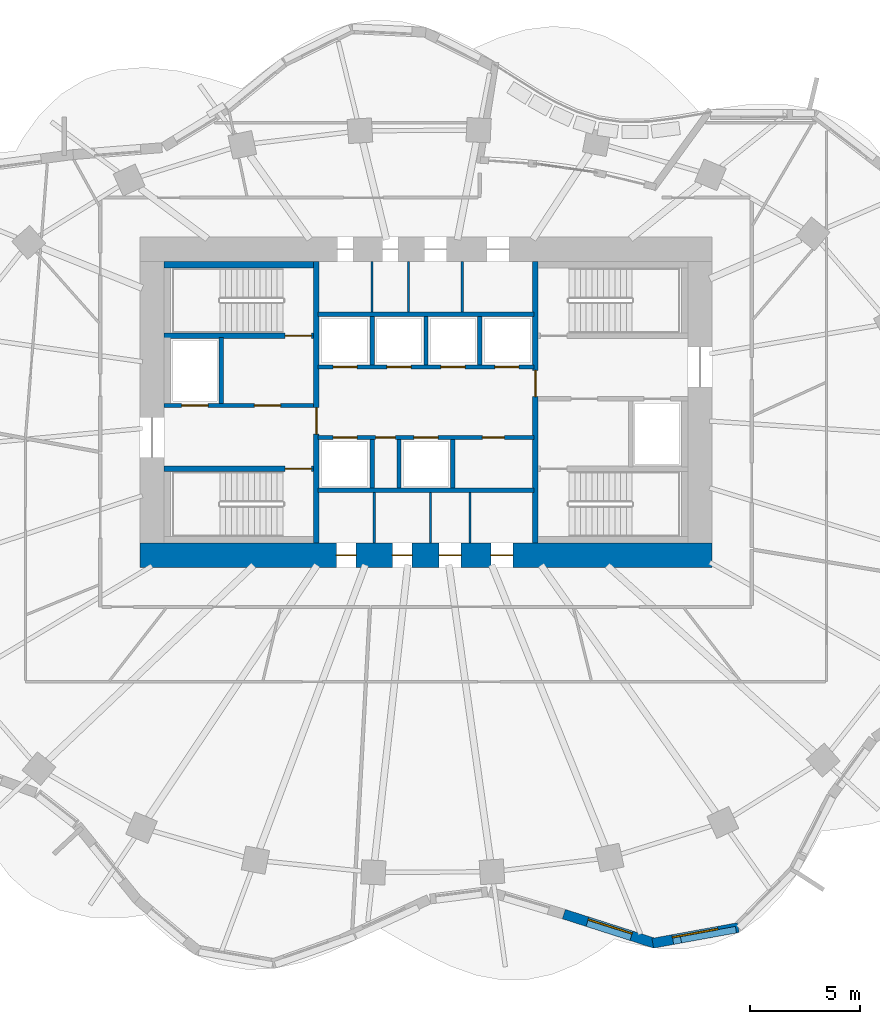
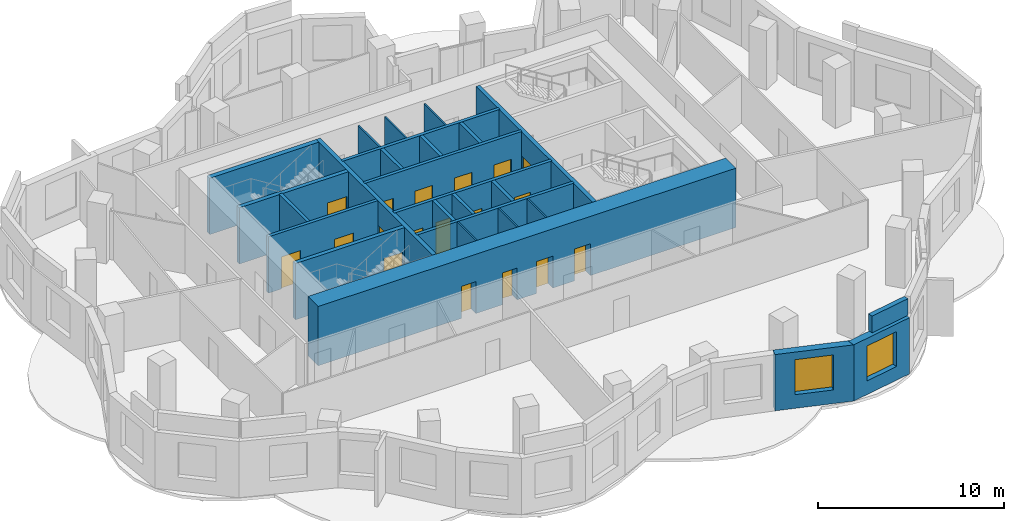
# One storey, part 6 of 11: 27 walls, 18 doors, 2 windows, 20 openings.
"""IFC4 building model written with IfcOpenShell, lengths in metres."""

from ifc_helpers import new_model, si_unit, direction, frame, frame_2d, origin, place, context, subcontext, project, spatial, rectangle, extrude, material, layer, layer_set, type_object, element, fill, save


model = new_model("IFC4")

# Units and contexts
model_context = context("Model", 3, precision=1e-05, world=origin(), true_north=direction((0.0, 1.0)))
body_context = subcontext(model_context, "Body", "Model", "MODEL_VIEW")
ifc_project = project(units=[si_unit("LENGTHUNIT", "METRE"), si_unit("AREAUNIT", "SQUARE_METRE"), si_unit("VOLUMEUNIT", "CUBIC_METRE"), si_unit("PLANEANGLEUNIT", "RADIAN"), si_unit("MASSUNIT", "GRAM", prefix="KILO")], contexts=[model_context])

# Site, building, storey
site_placement = place(None, origin())
site = spatial("IfcSite", under=ifc_project, at=site_placement, CompositionType="ELEMENT")
building_placement = place(site_placement, origin())
building = spatial("IfcBuilding", under=site, at=building_placement, Name="Rubra Terraces Tower", CompositionType="ELEMENT")
storey_placement = place(building_placement, frame((0.0, 0.0, 146.10009765625)))
storey = spatial("IfcBuildingStorey", under=building, at=storey_placement, Name="L35", CompositionType="ELEMENT", Elevation=146.10009765625)

# Wall, opening, window
ifc_material_1 = material(Name="Brick masonry red-brown", Category="masonry")
ifc_layer_1 = layer(ifc_material_1, 0.449951171875)
ifc_layer_set_1 = layer_set([ifc_layer_1], Name="Brick masonry red-brown")
wall_type_1 = type_object("IfcWallType", Name="Brick facade wall 450", PredefinedType="SOLIDWALL", material=ifc_layer_set_1)
wall_1_placement = place(storey_placement, frame((6.264404296875, -18.758544921875, 0.0), z_axis=(0.0, 0.0, 1.0), x_axis=(0.952259303219, -0.305290385423, 0.0)))
wall_1 = element("IfcWall", 1, at=wall_1_placement, inside=storey, type_object=wall_type_1, Name="Facade wall L35 bay 33", PredefinedType="SOLIDWALL", context=body_context, shape_type="SweptSolid", body=[
    extrude(rectangle(XDim=4.354248046875, YDim=0.449951171875, at=frame_2d((2.17724609375, 0.0))), origin(), (0.0, 0.0, 1.0), 3.699951171875),
])
opening_1_placement = place(wall_1_placement, frame((1.127197265625, 0.0, 0.89990234375)))
opening_1 = element("IfcOpeningElement", 2, at=opening_1_placement, cuts=wall_1, Name="Opening W1B", PredefinedType="OPENING", context=body_context, shape_type="SweptSolid", body=[
    extrude(rectangle(XDim=2.10009765625, YDim=2.300048828125, at=frame_2d((1.050048828125, 1.14990234375))), frame((0.0, 0.23486328125, 0.0), z_axis=(0.0, -1.0, 0.0), x_axis=(1.0, 0.0, 0.0)), (0.0, 0.0, 1.0), 0.469970703125),
])
ifc_material_2 = material(Name="Clear glass in aluminium frame", Category="aluminium")
window_type = type_object("IfcWindowType", Name="Fixed deep-set window tall storey 2100 x 2300", PartitioningType="SINGLE_PANEL", PredefinedType="WINDOW", material=ifc_material_2)
window_1_placement = place(opening_1_placement, origin())
window_1 = element("IfcWindow", 3, at=window_1_placement, inside=storey, type_object=window_type, Name="Window L35 bay 33", OverallHeight=2.300048828125, OverallWidth=2.10009765625, PartitioningType="SINGLE_PANEL", PredefinedType="WINDOW", context=body_context, shape_type="SweptSolid", body=[
    extrude(rectangle(XDim=2.10009765625, YDim=2.300048828125, at=frame_2d((1.050048828125, 1.14990234375))), frame((0.0, 0.135009765625, 0.0), z_axis=(0.0, -1.0, 0.0), x_axis=(1.0, 0.0, 0.0)), (0.0, 0.0, 1.0), 0.06005859375),
])
fill(opening_1, window_1)

wall_2_placement = place(storey_placement, frame((10.304443359375, -20.081787109375, 0.0), z_axis=(0.0, 0.0, 1.0), x_axis=(0.983644868335, 0.180118774698, 0.0)))
wall_2 = element("IfcWall", 4, at=wall_2_placement, inside=storey, type_object=wall_type_1, Name="Facade wall L35 bay 34", PredefinedType="SOLIDWALL", context=body_context, shape_type="SweptSolid", body=[
    extrude(rectangle(XDim=3.953857421875, YDim=0.449951171875, at=frame_2d((1.97705078125, 0.0))), origin(), (0.0, 0.0, 1.0), 3.699951171875),
])
opening_2_placement = place(wall_2_placement, frame((0.9267578125, 0.0, 0.89990234375)))
opening_2 = element("IfcOpeningElement", 5, at=opening_2_placement, cuts=wall_2, Name="Opening W1B", PredefinedType="OPENING", context=body_context, shape_type="SweptSolid", body=[
    extrude(rectangle(XDim=2.10009765625, YDim=2.300048828125, at=frame_2d((1.050048828125, 1.14990234375))), frame((0.0, 0.23486328125, 0.0), z_axis=(0.0, -1.0, 0.0), x_axis=(1.0, 0.0, 0.0)), (0.0, 0.0, 1.0), 0.469970703125),
])
window_2_placement = place(opening_2_placement, origin())
window_2 = element("IfcWindow", 6, at=window_2_placement, inside=storey, type_object=window_type, Name="Window L35 bay 34", OverallHeight=2.300048828125, OverallWidth=2.10009765625, PartitioningType="SINGLE_PANEL", PredefinedType="WINDOW", context=body_context, shape_type="SweptSolid", body=[
    extrude(rectangle(XDim=2.10009765625, YDim=2.300048828125, at=frame_2d((1.050048828125, 1.14990234375))), frame((0.0, 0.135009765625, 0.0), z_axis=(0.0, -1.0, 0.0), x_axis=(1.0, 0.0, 0.0)), (0.0, 0.0, 1.0), 0.06005859375),
])
fill(opening_2, window_2)

# Wall
ifc_layer_2 = layer(ifc_material_1, 0.300048828125)
ifc_layer_set_2 = layer_set([ifc_layer_2], Name="Brick masonry red-brown")
wall_type_2 = type_object("IfcWallType", Name="Brick parapet 300", PredefinedType="PARAPET", material=ifc_layer_set_2)
wall_3_placement = place(storey_placement, frame((11.586669921875, -19.923095703125, 3.89990234375), z_axis=(0.0, 0.0, 1.0), x_axis=(0.983652285329, 0.180078265118, 0.0)))
element("IfcWall", 7, at=wall_3_placement, inside=storey, type_object=wall_type_2, Name="Parapet L35 bay 34", PredefinedType="PARAPET", context=body_context, shape_type="SweptSolid", body=[
    extrude(rectangle(XDim=2.539306640625, YDim=0.300048828125, at=frame_2d((1.26953125, 0.0))), origin(), (0.0, 0.0, 1.0), 1.10009765625),
])

# Wall, openings, doors
ifc_material_3 = material(Name="Concrete C60", Category="concrete")
ifc_layer_3 = layer(ifc_material_3, 1.10009765625)
ifc_layer_set_3 = layer_set([ifc_layer_3], Name="Concrete C60")
wall_type_3 = type_object("IfcWallType", Name="CORE WALL 1100 C60", PredefinedType="SHEAR", material=ifc_layer_set_3)
wall_4_placement = place(storey_placement, frame((-13.0, -2.449951171875, 0.0), z_axis=(0.0, 0.0, 1.0), x_axis=(1.0, 0.0, 0.0)))
wall_4 = element("IfcWall", 8, at=wall_4_placement, inside=storey, type_object=wall_type_3, Name="CORE WALL S L35", PredefinedType="SHEAR", context=body_context, shape_type="SweptSolid", body=[
    extrude(rectangle(XDim=26.0, YDim=1.10009765625, at=frame_2d((13.0, 0.0))), origin(), (0.0, 0.0, 1.0), 3.89990234375),
])
opening_3_placement = place(wall_4_placement, frame((8.925048828125, 0.0, 0.0)))
opening_3 = element("IfcOpeningElement", 9, at=opening_3_placement, cuts=wall_4, Name="Opening L35.C21", PredefinedType="OPENING", context=body_context, shape_type="SweptSolid", body=[
    extrude(rectangle(XDim=0.89990234375, YDim=2.10009765625, at=frame_2d((0.449951171875, 1.050048828125))), frame((0.0, 0.56005859375, 0.0), z_axis=(0.0, -1.0, 0.0), x_axis=(1.0, 0.0, 0.0)), (0.0, 0.0, 1.0), 1.1201171875),
])
opening_4_placement = place(wall_4_placement, frame((11.47509765625, 0.0, 0.0)))
opening_4 = element("IfcOpeningElement", 10, at=opening_4_placement, cuts=wall_4, Name="Opening L35.C22", PredefinedType="OPENING", context=body_context, shape_type="SweptSolid", body=[
    extrude(rectangle(XDim=0.89990234375, YDim=2.10009765625, at=frame_2d((0.449951171875, 1.050048828125))), frame((0.0, 0.56005859375, 0.0), z_axis=(0.0, -1.0, 0.0), x_axis=(1.0, 0.0, 0.0)), (0.0, 0.0, 1.0), 1.1201171875),
])
opening_5_placement = place(wall_4_placement, frame((13.60009765625, 0.0, 0.0)))
opening_5 = element("IfcOpeningElement", 11, at=opening_5_placement, cuts=wall_4, Name="Opening L35.C23", PredefinedType="OPENING", context=body_context, shape_type="SweptSolid", body=[
    extrude(rectangle(XDim=1.0, YDim=2.10009765625, at=frame_2d((0.5, 1.050048828125))), frame((0.0, 0.56005859375, 0.0), z_axis=(0.0, -1.0, 0.0), x_axis=(1.0, 0.0, 0.0)), (0.0, 0.0, 1.0), 1.1201171875),
])
opening_6_placement = place(wall_4_placement, frame((15.949951171875, 0.0, 0.0)))
opening_6 = element("IfcOpeningElement", 12, at=opening_6_placement, cuts=wall_4, Name="Opening L35.C24", PredefinedType="OPENING", context=body_context, shape_type="SweptSolid", body=[
    extrude(rectangle(XDim=1.0, YDim=2.10009765625, at=frame_2d((0.5, 1.050048828125))), frame((0.0, 0.56005859375, 0.0), z_axis=(0.0, -1.0, 0.0), x_axis=(1.0, 0.0, 0.0)), (0.0, 0.0, 1.0), 1.1201171875),
])
ifc_material_4 = material(Name="Painted steel", Category="steel")
door_type_1 = type_object("IfcDoorType", Name="Fire door 1000x2100 single", OperationType="NOTDEFINED", PredefinedType="DOOR", material=ifc_material_4)
door_1_placement = place(opening_5_placement, origin())
door_1 = element("IfcDoor", 13, at=door_1_placement, inside=storey, type_object=door_type_1, Name="Accessible WC door", OperationType="SINGLE_SWING_LEFT", OverallHeight=2.10009765625, OverallWidth=1.0, PredefinedType="DOOR", context=body_context, shape_type="SweptSolid", body=[
    extrude(rectangle(XDim=1.0, YDim=2.10009765625, at=frame_2d((0.5, 1.050048828125))), frame((0.0, 0.02490234375, 0.0), z_axis=(0.0, -1.0, 0.0), x_axis=(1.0, 0.0, 0.0)), (0.0, 0.0, 1.0), 0.050048828125),
])
fill(opening_5, door_1)
door_2_placement = place(opening_6_placement, origin())
door_2 = element("IfcDoor", 14, at=door_2_placement, inside=storey, type_object=door_type_1, Name="General store door", OperationType="SINGLE_SWING_RIGHT", OverallHeight=2.10009765625, OverallWidth=1.0, PredefinedType="DOOR", context=body_context, shape_type="SweptSolid", body=[
    extrude(rectangle(XDim=1.0, YDim=2.10009765625, at=frame_2d((0.5, 1.050048828125))), frame((0.0, 0.02490234375, 0.0), z_axis=(0.0, -1.0, 0.0), x_axis=(1.0, 0.0, 0.0)), (0.0, 0.0, 1.0), 0.050048828125),
])
fill(opening_6, door_2)
door_type_2 = type_object("IfcDoorType", Name="Fire door 900x2100 single", OperationType="NOTDEFINED", PredefinedType="DOOR", material=ifc_material_4)
door_3_placement = place(opening_3_placement, origin())
door_3 = element("IfcDoor", 15, at=door_3_placement, inside=storey, type_object=door_type_2, Name="Ladies WC door", OperationType="SINGLE_SWING_LEFT", OverallHeight=2.10009765625, OverallWidth=0.89990234375, PredefinedType="DOOR", context=body_context, shape_type="SweptSolid", body=[
    extrude(rectangle(XDim=0.89990234375, YDim=2.10009765625, at=frame_2d((0.449951171875, 1.050048828125))), frame((0.0, 0.02490234375, 0.0), z_axis=(0.0, -1.0, 0.0), x_axis=(1.0, 0.0, 0.0)), (0.0, 0.0, 1.0), 0.050048828125),
])
fill(opening_3, door_3)
door_4_placement = place(opening_4_placement, origin())
door_4 = element("IfcDoor", 16, at=door_4_placement, inside=storey, type_object=door_type_2, Name="Gents WC door", OperationType="SINGLE_SWING_RIGHT", OverallHeight=2.10009765625, OverallWidth=0.89990234375, PredefinedType="DOOR", context=body_context, shape_type="SweptSolid", body=[
    extrude(rectangle(XDim=0.89990234375, YDim=2.10009765625, at=frame_2d((0.449951171875, 1.050048828125))), frame((0.0, 0.02490234375, 0.0), z_axis=(0.0, -1.0, 0.0), x_axis=(1.0, 0.0, 0.0)), (0.0, 0.0, 1.0), 0.050048828125),
])
fill(opening_4, door_4)

# Wall
ifc_material_5 = material(Name="Concrete C40", Category="concrete")
ifc_layer_4 = layer(ifc_material_5, 0.300048828125)
ifc_layer_set_4 = layer_set([ifc_layer_4], Name="Concrete C40")
wall_type_4 = type_object("IfcWallType", Name="Core lining wall 300 concrete", PredefinedType="SOLIDWALL", material=ifc_layer_set_4)
wall_5_placement = place(storey_placement, frame((-11.89990234375, 10.75, 0.0), z_axis=(0.0, 0.0, 1.0), x_axis=(1.0, 0.0, 0.0)))
element("IfcWall", 17, at=wall_5_placement, inside=storey, type_object=wall_type_4, Name="CORE LINING WALL L35", PredefinedType="SOLIDWALL", context=body_context, shape_type="SweptSolid", body=[
    extrude(rectangle(XDim=6.7998046875, YDim=0.300048828125, at=frame_2d((3.39990234375, 0.0))), origin(), (0.0, 0.0, 1.0), 3.699951171875),
])

# Wall, openings, doors
ifc_material_6 = material(Name="Concrete C30", Category="concrete")
ifc_layer_5 = layer(ifc_material_6, 0.199951171875)
ifc_layer_set_5 = layer_set([ifc_layer_5], Name="Concrete C30")
wall_type_5 = type_object("IfcWallType", Name="Core wall 200 concrete", PredefinedType="SOLIDWALL", material=ifc_layer_set_5)
wall_6_placement = place(storey_placement, frame((-11.89990234375, 4.35009765625, 0.0), z_axis=(0.0, 0.0, 1.0), x_axis=(1.0, 0.0, 0.0)))
wall_6 = element("IfcWall", 18, at=wall_6_placement, inside=storey, type_object=wall_type_5, Name="STAIR WALL L35", PredefinedType="SOLIDWALL", context=body_context, shape_type="SweptSolid", body=[
    extrude(rectangle(XDim=6.7998046875, YDim=0.199951171875, at=frame_2d((3.39990234375, 0.0))), origin(), (0.0, 0.0, 1.0), 3.699951171875),
])
opening_7_placement = place(wall_6_placement, frame((4.10009765625, 0.0, 0.0)))
opening_7 = element("IfcOpeningElement", 19, at=opening_7_placement, cuts=wall_6, Name="Opening L35.C05", PredefinedType="OPENING", context=body_context, shape_type="SweptSolid", body=[
    extrude(rectangle(XDim=1.199951171875, YDim=2.10009765625, at=frame_2d((0.60009765625, 1.050048828125))), frame((0.0, 0.10986328125, 0.0), z_axis=(0.0, -1.0, 0.0), x_axis=(1.0, 0.0, 0.0)), (0.0, 0.0, 1.0), 0.219970703125),
])
opening_8_placement = place(wall_6_placement, frame((0.800048828125, 0.0, 0.0)))
opening_8 = element("IfcOpeningElement", 20, at=opening_8_placement, cuts=wall_6, Name="Opening L35.C11", PredefinedType="OPENING", context=body_context, shape_type="SweptSolid", body=[
    extrude(rectangle(XDim=1.199951171875, YDim=2.10009765625, at=frame_2d((0.60009765625, 1.050048828125))), frame((0.0, 0.10986328125, 0.0), z_axis=(0.0, -1.0, 0.0), x_axis=(1.0, 0.0, 0.0)), (0.0, 0.0, 1.0), 0.219970703125),
])
door_type_3 = type_object("IfcDoorType", Name="Fire door 1200x2100 single", OperationType="NOTDEFINED", PredefinedType="DOOR", material=ifc_material_4)
door_5_placement = place(opening_7_placement, origin())
door_5 = element("IfcDoor", 21, at=door_5_placement, inside=storey, type_object=door_type_3, Name="Stair vestibule door S2", OperationType="SINGLE_SWING_LEFT", OverallHeight=2.10009765625, OverallWidth=1.199951171875, PredefinedType="DOOR", context=body_context, shape_type="SweptSolid", body=[
    extrude(rectangle(XDim=1.199951171875, YDim=2.10009765625, at=frame_2d((0.60009765625, 1.050048828125))), frame((0.0, 0.02490234375, 0.0), z_axis=(0.0, -1.0, 0.0), x_axis=(1.0, 0.0, 0.0)), (0.0, 0.0, 1.0), 0.050048828125),
])
fill(opening_7, door_5)
ifc_material_7 = material(Name="Stainless steel", Category="steel")
door_type_4 = type_object("IfcDoorType", Name="Lift landing door 1200x2100", OperationType="NOTDEFINED", PredefinedType="DOOR", material=ifc_material_7)
door_6_placement = place(opening_8_placement, origin())
door_6 = element("IfcDoor", 22, at=door_6_placement, inside=storey, type_object=door_type_4, Name="Landing door FF1", OperationType="SLIDING_TO_RIGHT", OverallHeight=2.10009765625, OverallWidth=1.199951171875, PredefinedType="DOOR", context=body_context, shape_type="SweptSolid", body=[
    extrude(rectangle(XDim=1.199951171875, YDim=2.10009765625, at=frame_2d((0.60009765625, 1.050048828125))), frame((0.0, 0.02490234375, 0.0), z_axis=(0.0, -1.0, 0.0), x_axis=(1.0, 0.0, 0.0)), (0.0, 0.0, 1.0), 0.050048828125),
])
fill(opening_8, door_6)

# Walls
wall_7_placement = place(storey_placement, frame((-9.300048828125, 4.449951171875, 0.0), z_axis=(0.0, 0.0, 1.0), x_axis=(0.0, 1.0, 0.0)))
element("IfcWall", 23, at=wall_7_placement, inside=storey, type_object=wall_type_5, Name="STAIR WALL L35", PredefinedType="SOLIDWALL", context=body_context, shape_type="SweptSolid", body=[
    extrude(rectangle(XDim=3.0, YDim=0.199951171875, at=frame_2d((1.5, 0.0))), origin(), (0.0, 0.0, 1.0), 3.699951171875),
])
wall_8_placement = place(storey_placement, frame((-4.89990234375, 0.5, 0.0), z_axis=(0.0, 0.0, 1.0), x_axis=(1.0, 0.0, 0.0)))
element("IfcWall", 24, at=wall_8_placement, inside=storey, type_object=wall_type_5, Name="LIFT SHAFT WALL L35", PredefinedType="SOLIDWALL", context=body_context, shape_type="SweptSolid", body=[
    extrude(rectangle(XDim=9.7998046875, YDim=0.199951171875, at=frame_2d((4.89990234375, 0.0))), origin(), (0.0, 0.0, 1.0), 3.699951171875),
])

# Wall, openings, doors
wall_9_placement = place(storey_placement, frame((-4.89990234375, 2.89990234375, 0.0), z_axis=(0.0, 0.0, 1.0), x_axis=(1.0, 0.0, 0.0)))
wall_9 = element("IfcWall", 25, at=wall_9_placement, inside=storey, type_object=wall_type_5, Name="LIFT SHAFT WALL L35", PredefinedType="SOLIDWALL", context=body_context, shape_type="SweptSolid", body=[
    extrude(rectangle(XDim=9.7998046875, YDim=0.199951171875, at=frame_2d((4.89990234375, 0.0))), origin(), (0.0, 0.0, 1.0), 3.699951171875),
])
opening_9_placement = place(wall_9_placement, frame((0.675048828125, 0.0, 0.0)))
opening_9 = element("IfcOpeningElement", 26, at=opening_9_placement, cuts=wall_9, Name="Opening L35.C13", PredefinedType="OPENING", context=body_context, shape_type="SweptSolid", body=[
    extrude(rectangle(XDim=1.10009765625, YDim=2.10009765625, at=frame_2d((0.550048828125, 1.050048828125))), frame((0.0, 0.10986328125, 0.0), z_axis=(0.0, -1.0, 0.0), x_axis=(1.0, 0.0, 0.0)), (0.0, 0.0, 1.0), 0.219970703125),
])
opening_10_placement = place(wall_9_placement, frame((2.613037109375, 0.0, 0.0)))
opening_10 = element("IfcOpeningElement", 27, at=opening_10_placement, cuts=wall_9, Name="Opening L35.C14", PredefinedType="OPENING", context=body_context, shape_type="SweptSolid", body=[
    extrude(rectangle(XDim=0.89990234375, YDim=2.10009765625, at=frame_2d((0.449951171875, 1.050048828125))), frame((0.0, 0.10986328125, 0.0), z_axis=(0.0, -1.0, 0.0), x_axis=(1.0, 0.0, 0.0)), (0.0, 0.0, 1.0), 0.219970703125),
])
opening_11_placement = place(wall_9_placement, frame((4.35009765625, 0.0, 0.0)))
opening_11 = element("IfcOpeningElement", 28, at=opening_11_placement, cuts=wall_9, Name="Opening L35.C15", PredefinedType="OPENING", context=body_context, shape_type="SweptSolid", body=[
    extrude(rectangle(XDim=1.10009765625, YDim=2.10009765625, at=frame_2d((0.550048828125, 1.050048828125))), frame((0.0, 0.10986328125, 0.0), z_axis=(0.0, -1.0, 0.0), x_axis=(1.0, 0.0, 0.0)), (0.0, 0.0, 1.0), 0.219970703125),
])
opening_12_placement = place(wall_9_placement, frame((7.462890625, 0.0, 0.0)))
opening_12 = element("IfcOpeningElement", 29, at=opening_12_placement, cuts=wall_9, Name="Opening L35.C16", PredefinedType="OPENING", context=body_context, shape_type="SweptSolid", body=[
    extrude(rectangle(XDim=1.0, YDim=2.10009765625, at=frame_2d((0.5, 1.050048828125))), frame((0.0, 0.10986328125, 0.0), z_axis=(0.0, -1.0, 0.0), x_axis=(1.0, 0.0, 0.0)), (0.0, 0.0, 1.0), 0.219970703125),
])
door_7_placement = place(opening_12_placement, origin())
door_7 = element("IfcDoor", 30, at=door_7_placement, inside=storey, type_object=door_type_1, Name="Security and building control room door", OperationType="SINGLE_SWING_RIGHT", OverallHeight=2.10009765625, OverallWidth=1.0, PredefinedType="DOOR", context=body_context, shape_type="SweptSolid", body=[
    extrude(rectangle(XDim=1.0, YDim=2.10009765625, at=frame_2d((0.5, 1.050048828125))), frame((0.0, 0.02490234375, 0.0), z_axis=(0.0, -1.0, 0.0), x_axis=(1.0, 0.0, 0.0)), (0.0, 0.0, 1.0), 0.050048828125),
])
fill(opening_12, door_7)
door_8_placement = place(opening_10_placement, origin())
door_8 = element("IfcDoor", 31, at=door_8_placement, inside=storey, type_object=door_type_2, Name="Cleaner's store door", OperationType="SINGLE_SWING_RIGHT", OverallHeight=2.10009765625, OverallWidth=0.89990234375, PredefinedType="DOOR", context=body_context, shape_type="SweptSolid", body=[
    extrude(rectangle(XDim=0.89990234375, YDim=2.10009765625, at=frame_2d((0.449951171875, 1.050048828125))), frame((0.0, 0.02490234375, 0.0), z_axis=(0.0, -1.0, 0.0), x_axis=(1.0, 0.0, 0.0)), (0.0, 0.0, 1.0), 0.050048828125),
])
fill(opening_10, door_8)
door_type_5 = type_object("IfcDoorType", Name="Lift landing door 1100x2100", OperationType="NOTDEFINED", PredefinedType="DOOR", material=ifc_material_7)
door_9_placement = place(opening_9_placement, origin())
door_9 = element("IfcDoor", 32, at=door_9_placement, inside=storey, type_object=door_type_5, Name="Landing door HB1", OperationType="SLIDING_TO_RIGHT", OverallHeight=2.10009765625, OverallWidth=1.10009765625, PredefinedType="DOOR", context=body_context, shape_type="SweptSolid", body=[
    extrude(rectangle(XDim=1.10009765625, YDim=2.10009765625, at=frame_2d((0.550048828125, 1.050048828125))), frame((0.0, 0.02490234375, 0.0), z_axis=(0.0, -1.0, 0.0), x_axis=(1.0, 0.0, 0.0)), (0.0, 0.0, 1.0), 0.050048828125),
])
fill(opening_9, door_9)
door_10_placement = place(opening_11_placement, origin())
door_10 = element("IfcDoor", 33, at=door_10_placement, inside=storey, type_object=door_type_5, Name="Landing door HB2", OperationType="SLIDING_TO_LEFT", OverallHeight=2.10009765625, OverallWidth=1.10009765625, PredefinedType="DOOR", context=body_context, shape_type="SweptSolid", body=[
    extrude(rectangle(XDim=1.10009765625, YDim=2.10009765625, at=frame_2d((0.550048828125, 1.050048828125))), frame((0.0, 0.02490234375, 0.0), z_axis=(0.0, -1.0, 0.0), x_axis=(1.0, 0.0, 0.0)), (0.0, 0.0, 1.0), 0.050048828125),
])
fill(opening_11, door_10)

wall_10_placement = place(storey_placement, frame((-4.89990234375, 6.10009765625, 0.0), z_axis=(0.0, 0.0, 1.0), x_axis=(1.0, 0.0, 0.0)))
wall_10 = element("IfcWall", 34, at=wall_10_placement, inside=storey, type_object=wall_type_5, Name="LIFT SHAFT WALL L35", PredefinedType="SOLIDWALL", context=body_context, shape_type="SweptSolid", body=[
    extrude(rectangle(XDim=9.7998046875, YDim=0.199951171875, at=frame_2d((4.89990234375, 0.0))), origin(), (0.0, 0.0, 1.0), 3.699951171875),
])
opening_13_placement = place(wall_10_placement, frame((0.675048828125, 0.0, 0.0)))
opening_13 = element("IfcOpeningElement", 35, at=opening_13_placement, cuts=wall_10, Name="Opening L35.C17", PredefinedType="OPENING", context=body_context, shape_type="SweptSolid", body=[
    extrude(rectangle(XDim=1.10009765625, YDim=2.10009765625, at=frame_2d((0.550048828125, 1.050048828125))), frame((0.0, 0.10986328125, 0.0), z_axis=(0.0, -1.0, 0.0), x_axis=(1.0, 0.0, 0.0)), (0.0, 0.0, 1.0), 0.219970703125),
])
opening_14_placement = place(wall_10_placement, frame((3.125, 0.0, 0.0)))
opening_14 = element("IfcOpeningElement", 36, at=opening_14_placement, cuts=wall_10, Name="Opening L35.C18", PredefinedType="OPENING", context=body_context, shape_type="SweptSolid", body=[
    extrude(rectangle(XDim=1.10009765625, YDim=2.10009765625, at=frame_2d((0.550048828125, 1.050048828125))), frame((0.0, 0.10986328125, 0.0), z_axis=(0.0, -1.0, 0.0), x_axis=(1.0, 0.0, 0.0)), (0.0, 0.0, 1.0), 0.219970703125),
])
opening_15_placement = place(wall_10_placement, frame((5.574951171875, 0.0, 0.0)))
opening_15 = element("IfcOpeningElement", 37, at=opening_15_placement, cuts=wall_10, Name="Opening L35.C19", PredefinedType="OPENING", context=body_context, shape_type="SweptSolid", body=[
    extrude(rectangle(XDim=1.10009765625, YDim=2.10009765625, at=frame_2d((0.550048828125, 1.050048828125))), frame((0.0, 0.10986328125, 0.0), z_axis=(0.0, -1.0, 0.0), x_axis=(1.0, 0.0, 0.0)), (0.0, 0.0, 1.0), 0.219970703125),
])
opening_16_placement = place(wall_10_placement, frame((8.02490234375, 0.0, 0.0)))
opening_16 = element("IfcOpeningElement", 38, at=opening_16_placement, cuts=wall_10, Name="Opening L35.C20", PredefinedType="OPENING", context=body_context, shape_type="SweptSolid", body=[
    extrude(rectangle(XDim=1.10009765625, YDim=2.10009765625, at=frame_2d((0.550048828125, 1.050048828125))), frame((0.0, 0.10986328125, 0.0), z_axis=(0.0, -1.0, 0.0), x_axis=(1.0, 0.0, 0.0)), (0.0, 0.0, 1.0), 0.219970703125),
])
door_11_placement = place(opening_13_placement, origin())
door_11 = element("IfcDoor", 39, at=door_11_placement, inside=storey, type_object=door_type_5, Name="Landing door HB3", OperationType="SLIDING_TO_RIGHT", OverallHeight=2.10009765625, OverallWidth=1.10009765625, PredefinedType="DOOR", context=body_context, shape_type="SweptSolid", body=[
    extrude(rectangle(XDim=1.10009765625, YDim=2.10009765625, at=frame_2d((0.550048828125, 1.050048828125))), frame((0.0, 0.02490234375, 0.0), z_axis=(0.0, -1.0, 0.0), x_axis=(1.0, 0.0, 0.0)), (0.0, 0.0, 1.0), 0.050048828125),
])
fill(opening_13, door_11)
door_12_placement = place(opening_14_placement, origin())
door_12 = element("IfcDoor", 40, at=door_12_placement, inside=storey, type_object=door_type_5, Name="Landing door HB4", OperationType="SLIDING_TO_LEFT", OverallHeight=2.10009765625, OverallWidth=1.10009765625, PredefinedType="DOOR", context=body_context, shape_type="SweptSolid", body=[
    extrude(rectangle(XDim=1.10009765625, YDim=2.10009765625, at=frame_2d((0.550048828125, 1.050048828125))), frame((0.0, 0.02490234375, 0.0), z_axis=(0.0, -1.0, 0.0), x_axis=(1.0, 0.0, 0.0)), (0.0, 0.0, 1.0), 0.050048828125),
])
fill(opening_14, door_12)
door_13_placement = place(opening_15_placement, origin())
door_13 = element("IfcDoor", 41, at=door_13_placement, inside=storey, type_object=door_type_5, Name="Landing door HB5", OperationType="SLIDING_TO_RIGHT", OverallHeight=2.10009765625, OverallWidth=1.10009765625, PredefinedType="DOOR", context=body_context, shape_type="SweptSolid", body=[
    extrude(rectangle(XDim=1.10009765625, YDim=2.10009765625, at=frame_2d((0.550048828125, 1.050048828125))), frame((0.0, 0.02490234375, 0.0), z_axis=(0.0, -1.0, 0.0), x_axis=(1.0, 0.0, 0.0)), (0.0, 0.0, 1.0), 0.050048828125),
])
fill(opening_15, door_13)
door_14_placement = place(opening_16_placement, origin())
door_14 = element("IfcDoor", 42, at=door_14_placement, inside=storey, type_object=door_type_5, Name="Landing door HB6", OperationType="SLIDING_TO_LEFT", OverallHeight=2.10009765625, OverallWidth=1.10009765625, PredefinedType="DOOR", context=body_context, shape_type="SweptSolid", body=[
    extrude(rectangle(XDim=1.10009765625, YDim=2.10009765625, at=frame_2d((0.550048828125, 1.050048828125))), frame((0.0, 0.02490234375, 0.0), z_axis=(0.0, -1.0, 0.0), x_axis=(1.0, 0.0, 0.0)), (0.0, 0.0, 1.0), 0.050048828125),
])
fill(opening_16, door_14)

# Walls
wall_11_placement = place(storey_placement, frame((-4.89990234375, 8.5, 0.0), z_axis=(0.0, 0.0, 1.0), x_axis=(1.0, 0.0, 0.0)))
element("IfcWall", 43, at=wall_11_placement, inside=storey, type_object=wall_type_5, Name="LIFT SHAFT WALL L35", PredefinedType="SOLIDWALL", context=body_context, shape_type="SweptSolid", body=[
    extrude(rectangle(XDim=9.7998046875, YDim=0.199951171875, at=frame_2d((4.89990234375, 0.0))), origin(), (0.0, 0.0, 1.0), 3.699951171875),
])
for number, where, z_axis, x_axis, name in (
    (44, (-2.449951171875, 0.60009765625, 0.0), (0.0, 0.0, 1.0), (0.0, 1.0, 0.0), "LIFT SHAFT WALL L35"),
    (45, (-1.22509765625, 0.60009765625, 0.0), (0.0, 0.0, 1.0), (0.0, 1.0, 0.0), "LIFT SHAFT WALL L35"),
    (46, (1.22509765625, 0.60009765625, 0.0), (0.0, 0.0, 1.0), (0.0, 1.0, 0.0), "LIFT SHAFT WALL L35"),
    (47, (-2.449951171875, 6.199951171875, 0.0), (0.0, 0.0, 1.0), (0.0, 1.0, 0.0), "LIFT SHAFT WALL L35"),
    (48, (0.0, 6.199951171875, 0.0), (0.0, 0.0, 1.0), (0.0, 1.0, 0.0), "LIFT SHAFT WALL L35"),
    (49, (2.449951171875, 6.199951171875, 0.0), (0.0, 0.0, 1.0), (0.0, 1.0, 0.0), "LIFT SHAFT WALL L35"),
):
    element("IfcWall", number, at=place(storey_placement, frame(where, z_axis=z_axis, x_axis=x_axis)), inside=storey, type_object=wall_type_5, Name=name, PredefinedType="SOLIDWALL", context=body_context, shape_type="SweptSolid", body=[
        extrude(rectangle(XDim=2.199951171875, YDim=0.199951171875, at=frame_2d((1.10009765625, 0.0))), origin(), (0.0, 0.0, 1.0), 3.699951171875),
    ])
ifc_material_8 = material(Name="Blockwork", Category="masonry")
ifc_layer_6 = layer(ifc_material_8, 0.10009765625)
ifc_layer_set_6 = layer_set([ifc_layer_6], Name="Blockwork")
wall_type_6 = type_object("IfcWallType", Name="Service partition 100 blockwork", PredefinedType="PARTITIONING", material=ifc_layer_set_6)
for number, where, z_axis, x_axis, name in (
    (50, (-2.35009765625, -1.89990234375, 0.0), (0.0, 0.0, 1.0), (0.0, 1.0, 0.0), "SERVICE ROOM PARTITION L35"),
    (51, (0.199951171875, -1.89990234375, 0.0), (0.0, 0.0, 1.0), (0.0, 1.0, 0.0), "SERVICE ROOM PARTITION L35"),
    (52, (2.0, -1.89990234375, 0.0), (0.0, 0.0, 1.0), (0.0, 1.0, 0.0), "SERVICE ROOM PARTITION L35"),
    (53, (-2.449951171875, 8.60009765625, 0.0), (0.0, 0.0, 1.0), (0.0, 1.0, 0.0), "SERVICE ROOM PARTITION L35"),
    (54, (-0.800048828125, 8.60009765625, 0.0), (0.0, 0.0, 1.0), (0.0, 1.0, 0.0), "SERVICE ROOM PARTITION L35"),
    (55, (1.64990234375, 8.60009765625, 0.0), (0.0, 0.0, 1.0), (0.0, 1.0, 0.0), "SERVICE ROOM PARTITION L35"),
):
    element("IfcWall", number, at=place(storey_placement, frame(where, z_axis=z_axis, x_axis=x_axis)), inside=storey, type_object=wall_type_6, Name=name, PredefinedType="PARTITIONING", context=body_context, shape_type="SweptSolid", body=[
        extrude(rectangle(XDim=2.2998046875, YDim=0.10009765625, at=frame_2d((1.14990234375, 0.0))), origin(), (0.0, 0.0, 1.0), 3.699951171875),
    ])

# Wall, opening, door
ifc_layer_7 = layer(ifc_material_5, 0.25)
ifc_layer_set_7 = layer_set([ifc_layer_7], Name="Concrete C40")
wall_type_7 = type_object("IfcWallType", Name="Stair enclosure wall 250 concrete", PredefinedType="SOLIDWALL", material=ifc_layer_set_7)
wall_12_placement = place(storey_placement, frame((-11.89990234375, 1.47509765625, 0.0), z_axis=(0.0, 0.0, 1.0), x_axis=(1.0, 0.0, 0.0)))
wall_12 = element("IfcWall", 56, at=wall_12_placement, inside=storey, type_object=wall_type_7, Name="STAIR WALL L35", PredefinedType="SOLIDWALL", context=body_context, shape_type="SweptSolid", body=[
    extrude(rectangle(XDim=6.7998046875, YDim=0.25, at=frame_2d((3.39990234375, 0.0))), origin(), (0.0, 0.0, 1.0), 3.699951171875),
])
opening_17_placement = place(wall_12_placement, frame((5.5, 0.0, 0.0)))
opening_17 = element("IfcOpeningElement", 57, at=opening_17_placement, cuts=wall_12, Name="Opening L35.C07", PredefinedType="OPENING", context=body_context, shape_type="SweptSolid", body=[
    extrude(rectangle(XDim=1.199951171875, YDim=2.10009765625, at=frame_2d((0.60009765625, 1.050048828125))), frame((0.0, 0.135009765625, 0.0), z_axis=(0.0, -1.0, 0.0), x_axis=(1.0, 0.0, 0.0)), (0.0, 0.0, 1.0), 0.27001953125),
])
door_15_placement = place(opening_17_placement, origin())
door_15 = element("IfcDoor", 58, at=door_15_placement, inside=storey, type_object=door_type_3, Name="Stair door S1", OperationType="SINGLE_SWING_LEFT", OverallHeight=2.10009765625, OverallWidth=1.199951171875, PredefinedType="DOOR", context=body_context, shape_type="SweptSolid", body=[
    extrude(rectangle(XDim=1.199951171875, YDim=2.10009765625, at=frame_2d((0.60009765625, 1.050048828125))), frame((0.0, 0.02490234375, 0.0), z_axis=(0.0, -1.0, 0.0), x_axis=(1.0, 0.0, 0.0)), (0.0, 0.0, 1.0), 0.050048828125),
])
fill(opening_17, door_15)

wall_13_placement = place(storey_placement, frame((-11.89990234375, 7.52490234375, 0.0), z_axis=(0.0, 0.0, 1.0), x_axis=(1.0, 0.0, 0.0)))
wall_13 = element("IfcWall", 59, at=wall_13_placement, inside=storey, type_object=wall_type_7, Name="STAIR WALL L35", PredefinedType="SOLIDWALL", context=body_context, shape_type="SweptSolid", body=[
    extrude(rectangle(XDim=6.7998046875, YDim=0.25, at=frame_2d((3.39990234375, 0.0))), origin(), (0.0, 0.0, 1.0), 3.699951171875),
])
opening_18_placement = place(wall_13_placement, frame((5.5, 0.0, 0.0)))
opening_18 = element("IfcOpeningElement", 60, at=opening_18_placement, cuts=wall_13, Name="Opening L35.C09", PredefinedType="OPENING", context=body_context, shape_type="SweptSolid", body=[
    extrude(rectangle(XDim=1.199951171875, YDim=2.10009765625, at=frame_2d((0.60009765625, 1.050048828125))), frame((0.0, 0.135009765625, 0.0), z_axis=(0.0, -1.0, 0.0), x_axis=(1.0, 0.0, 0.0)), (0.0, 0.0, 1.0), 0.27001953125),
])
door_16_placement = place(opening_18_placement, origin())
door_16 = element("IfcDoor", 61, at=door_16_placement, inside=storey, type_object=door_type_3, Name="Stair door S2", OperationType="SINGLE_SWING_LEFT", OverallHeight=2.10009765625, OverallWidth=1.199951171875, PredefinedType="DOOR", context=body_context, shape_type="SweptSolid", body=[
    extrude(rectangle(XDim=1.199951171875, YDim=2.10009765625, at=frame_2d((0.60009765625, 1.050048828125))), frame((0.0, 0.02490234375, 0.0), z_axis=(0.0, -1.0, 0.0), x_axis=(1.0, 0.0, 0.0)), (0.0, 0.0, 1.0), 0.050048828125),
])
fill(opening_18, door_16)

wall_14_placement = place(storey_placement, frame((-4.97509765625, -1.89990234375, 0.0), z_axis=(0.0, 0.0, 1.0), x_axis=(0.0, 1.0, 0.0)))
wall_14 = element("IfcWall", 62, at=wall_14_placement, inside=storey, type_object=wall_type_7, Name="CORE LOBBY WALL L35", PredefinedType="SOLIDWALL", context=body_context, shape_type="SweptSolid", body=[
    extrude(rectangle(XDim=12.7998046875, YDim=0.25, at=frame_2d((6.39990234375, 0.0))), origin(), (0.0, 0.0, 1.0), 3.699951171875),
])
opening_19_placement = place(wall_14_placement, frame((4.949951171875, 0.0, 0.0)))
opening_19 = element("IfcOpeningElement", 63, at=opening_19_placement, cuts=wall_14, Name="Opening L35.C03", PredefinedType="OPENING", context=body_context, shape_type="SweptSolid", body=[
    extrude(rectangle(XDim=1.199951171875, YDim=2.10009765625, at=frame_2d((0.60009765625, 1.050048828125))), frame((0.0, 0.135009765625, 0.0), z_axis=(0.0, -1.0, 0.0), x_axis=(1.0, 0.0, 0.0)), (0.0, 0.0, 1.0), 0.27001953125),
])
door_17_placement = place(opening_19_placement, origin())
door_17 = element("IfcDoor", 64, at=door_17_placement, inside=storey, type_object=door_type_3, Name="Firefighting lobby door FF1", OperationType="SINGLE_SWING_LEFT", OverallHeight=2.10009765625, OverallWidth=1.199951171875, PredefinedType="DOOR", context=body_context, shape_type="SweptSolid", body=[
    extrude(rectangle(XDim=1.199951171875, YDim=2.10009765625, at=frame_2d((0.60009765625, 1.050048828125))), frame((0.0, 0.02490234375, 0.0), z_axis=(0.0, -1.0, 0.0), x_axis=(1.0, 0.0, 0.0)), (0.0, 0.0, 1.0), 0.050048828125),
])
fill(opening_19, door_17)

wall_15_placement = place(storey_placement, frame((4.97509765625, 10.89990234375, 0.0), z_axis=(0.0, 0.0, 1.0), x_axis=(0.0, -1.0, 0.0)))
wall_15 = element("IfcWall", 65, at=wall_15_placement, inside=storey, type_object=wall_type_7, Name="CORE LOBBY WALL L35", PredefinedType="SOLIDWALL", context=body_context, shape_type="SweptSolid", body=[
    extrude(rectangle(XDim=12.7998046875, YDim=0.25, at=frame_2d((6.39990234375, 0.0))), origin(), (0.0, 0.0, 1.0), 3.699951171875),
])
opening_20_placement = place(wall_15_placement, frame((4.949951171875, 0.0, 0.0)))
opening_20 = element("IfcOpeningElement", 66, at=opening_20_placement, cuts=wall_15, Name="Opening L35.C04", PredefinedType="OPENING", context=body_context, shape_type="SweptSolid", body=[
    extrude(rectangle(XDim=1.199951171875, YDim=2.10009765625, at=frame_2d((0.60009765625, 1.050048828125))), frame((0.0, 0.135009765625, 0.0), z_axis=(0.0, -1.0, 0.0), x_axis=(1.0, 0.0, 0.0)), (0.0, 0.0, 1.0), 0.27001953125),
])
door_18_placement = place(opening_20_placement, origin())
door_18 = element("IfcDoor", 67, at=door_18_placement, inside=storey, type_object=door_type_3, Name="Firefighting lobby door FF2", OperationType="SINGLE_SWING_RIGHT", OverallHeight=2.10009765625, OverallWidth=1.199951171875, PredefinedType="DOOR", context=body_context, shape_type="SweptSolid", body=[
    extrude(rectangle(XDim=1.199951171875, YDim=2.10009765625, at=frame_2d((0.60009765625, 1.050048828125))), frame((0.0, 0.02490234375, 0.0), z_axis=(0.0, -1.0, 0.0), x_axis=(1.0, 0.0, 0.0)), (0.0, 0.0, 1.0), 0.050048828125),
])
fill(opening_20, door_18)

save(model, "model.ifc")
